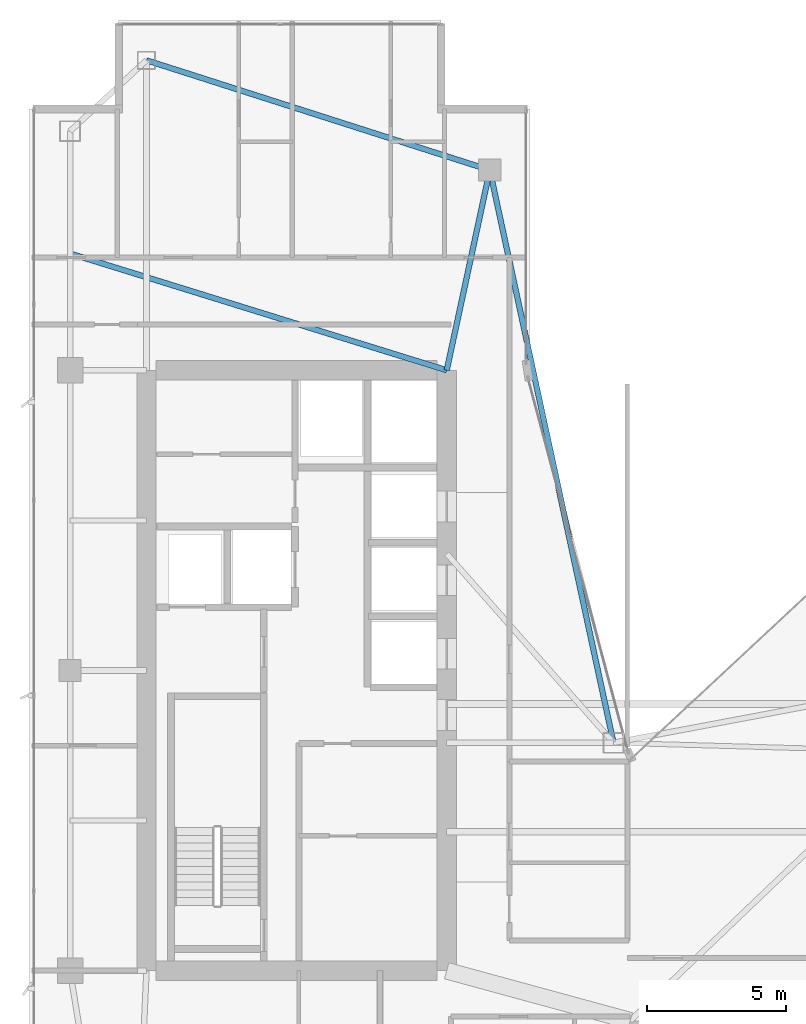
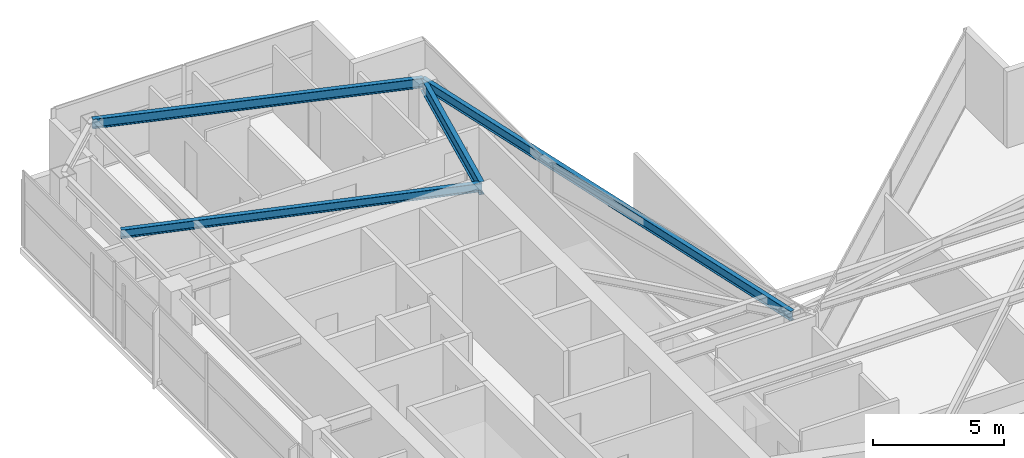
# One storey, part 17 of 27: 4 beams.
"""IFC4 building model written with IfcOpenShell, lengths in metres."""

from ifc_helpers import new_model, si_unit, direction, frame, origin, origin_2d, place, context, subcontext, project, spatial, i_section, extrude, material, material_profile, profile_set, type_object, element, save


model = new_model("IFC4")

# Units and contexts
model_context = context("Model", 3, precision=1e-05, world=origin(), true_north=direction((0.0, 1.0)))
body_context = subcontext(model_context, "Body", "Model", "MODEL_VIEW")
ifc_project = project(units=[si_unit("LENGTHUNIT", "METRE"), si_unit("AREAUNIT", "SQUARE_METRE"), si_unit("VOLUMEUNIT", "CUBIC_METRE"), si_unit("PLANEANGLEUNIT", "RADIAN"), si_unit("MASSUNIT", "GRAM", prefix="KILO")], contexts=[model_context])

# Site, building, storey
site_placement = place(None, origin())
site = spatial("IfcSite", under=ifc_project, at=site_placement, CompositionType="ELEMENT")
building_placement = place(site_placement, origin())
building = spatial("IfcBuilding", under=site, at=building_placement, Name="Calvorn Quay Hotel", CompositionType="ELEMENT")
storey_placement = place(building_placement, frame((0.0, 0.0, 226.89990234375)))
storey = spatial("IfcBuildingStorey", under=building, at=storey_placement, Name="L56", CompositionType="ELEMENT", Elevation=226.89990234375)

# Beams
ifc_material_1 = material(Name="Steel Q355B", Category="steel")
ifc_material_profile_1 = material_profile(ifc_material_1, i_section(OverallWidth=0.199951171875, OverallDepth=0.60009765625, WebThickness=0.010986328125, FlangeThickness=0.01708984375, FilletRadius=0.01806640625, at=origin_2d()), Name="HN600x200x11x17")
ifc_profile_set_1 = profile_set([ifc_material_profile_1], Name="Steel Q355B")
beam_type_1 = type_object("IfcBeamType", Name="BM-GIRD-TYP", PredefinedType="BEAM", material=ifc_profile_set_1)
beam_1_placement = place(storey_placement, frame((16.550048828125, 45.60009765625, 3.239990234375), z_axis=(-0.210457140491, -0.97760308511, 0.0), x_axis=(0.97760308511, -0.210457140491, 0.0)))
element("IfcBeam", 1, at=beam_1_placement, inside=storey, type_object=beam_type_1, Name="Beam BG-L56-W6", PredefinedType="BEAM", context=body_context, shape_type="SweptSolid", body=[
    extrude(i_section(OverallWidth=0.199951171875, OverallDepth=0.60009765625, WebThickness=0.010986328125, FlangeThickness=0.01708984375, FilletRadius=0.01806640625, at=origin_2d()), origin(), (0.0, 0.0, 1.0), 7.365234375),
])
ifc_material_2 = material(Name="Steel Q355B", Category="steel")
ifc_material_profile_2 = material_profile(ifc_material_2, i_section(OverallWidth=0.199951171875, OverallDepth=0.39990234375, WebThickness=0.008056640625, FlangeThickness=0.012939453125, FilletRadius=0.01611328125, at=origin_2d()), Name="HN400x200x8x13")
ifc_profile_set_2 = profile_set([ifc_material_profile_2], Name="Steel Q355B")
beam_type_2 = type_object("IfcBeamType", Name="BM-JOIST-TYP", PredefinedType="JOIST", material=ifc_profile_set_2)
beam_2_placement = place(storey_placement, frame((1.449951171875, 42.60009765625, 3.340087890625), z_axis=(0.955163702122, -0.296078202759, 0.0), x_axis=(0.296078202759, 0.955163702122, 0.0)))
element("IfcBeam", 2, at=beam_2_placement, inside=storey, type_object=beam_type_2, Name="Beam BJ-L56-W2", PredefinedType="JOIST", context=body_context, shape_type="SweptSolid", body=[
    extrude(i_section(OverallWidth=0.199951171875, OverallDepth=0.39990234375, WebThickness=0.008056640625, FlangeThickness=0.012939453125, FilletRadius=0.01611328125, at=origin_2d()), origin(), (0.0, 0.0, 1.0), 14.18603515625),
])
ifc_material_3 = material(Name="Steel Q355B", Category="steel")
ifc_material_profile_3 = material_profile(ifc_material_3, i_section(OverallWidth=0.199951171875, OverallDepth=0.449951171875, WebThickness=0.009033203125, FlangeThickness=0.013916015625, FilletRadius=0.01611328125, at=origin_2d()), Name="HN450x200x9x14")
ifc_profile_set_3 = profile_set([ifc_material_profile_3], Name="Steel Q355B")
beam_type_3 = type_object("IfcBeamType", Name="BM-SPANDREL-Z3", PredefinedType="SPANDREL", material=ifc_profile_set_3)
beam_3_placement = place(storey_placement, frame((4.199951171875, 49.550048828125, 3.315185546875), z_axis=(0.952470702374, -0.304630203885, 0.0), x_axis=(0.304630203885, 0.952470702374, 0.0)))
element("IfcBeam", 3, at=beam_3_placement, inside=storey, type_object=beam_type_3, Name="Beam BSP-L56-W6", PredefinedType="SPANDREL", context=body_context, shape_type="SweptSolid", body=[
    extrude(i_section(OverallWidth=0.199951171875, OverallDepth=0.449951171875, WebThickness=0.009033203125, FlangeThickness=0.013916015625, FilletRadius=0.01611328125, at=origin_2d()), origin(), (0.0, 0.0, 1.0), 12.96630859375),
])
beam_4_placement = place(storey_placement, frame((16.550048828125, 45.60009765625, 3.315185546875), z_axis=(0.211145848376, -0.977454567084, 0.0), x_axis=(0.977454567084, 0.211145848376, 0.0)))
element("IfcBeam", 4, at=beam_4_placement, inside=storey, type_object=beam_type_3, Name="Beam BSP-L56-W7", PredefinedType="SPANDREL", context=body_context, shape_type="SweptSolid", body=[
    extrude(i_section(OverallWidth=0.199951171875, OverallDepth=0.449951171875, WebThickness=0.009033203125, FlangeThickness=0.013916015625, FilletRadius=0.01611328125, at=origin_2d()), origin(), (0.0, 0.0, 1.0), 21.0751953125),
])

save(model, "model.ifc")
